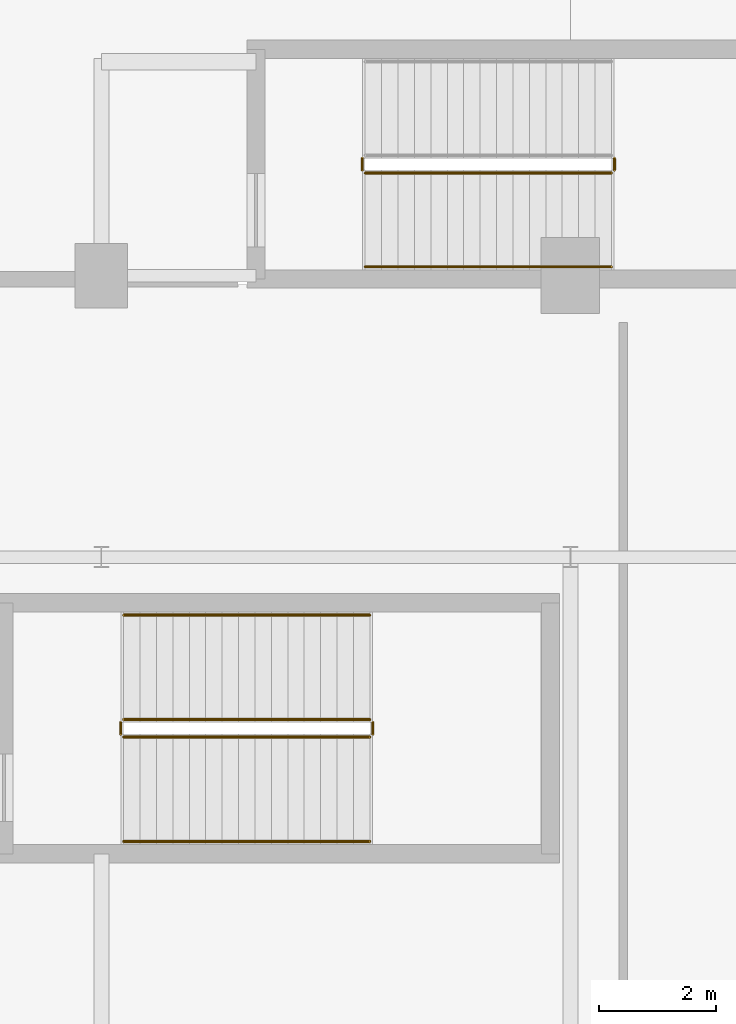
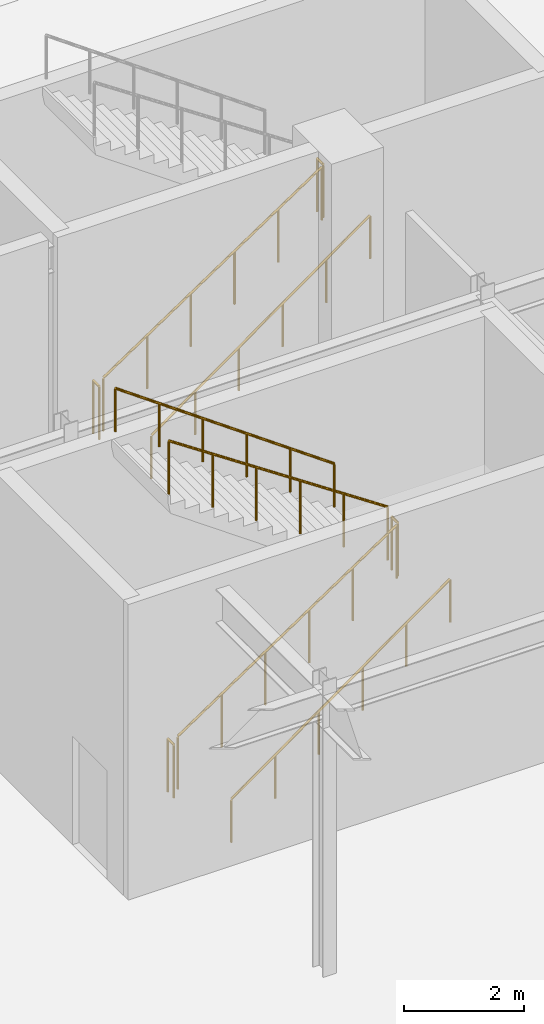
# One storey, part 42 of 49: 10 railings.
"""IFC4 building model written with IfcOpenShell, lengths in metres."""

from ifc_helpers import new_model, si_unit, direction, frame, origin, origin_2d, place, context, subcontext, project, spatial, circle, extrude, material, type_object, element, save


model = new_model("IFC4")

# Units and contexts
model_context = context("Model", 3, precision=1e-05, world=origin(), true_north=direction((0.0, 1.0)))
body_context = subcontext(model_context, "Body", "Model", "MODEL_VIEW")
ifc_project = project(units=[si_unit("LENGTHUNIT", "METRE"), si_unit("AREAUNIT", "SQUARE_METRE"), si_unit("VOLUMEUNIT", "CUBIC_METRE"), si_unit("PLANEANGLEUNIT", "RADIAN"), si_unit("MASSUNIT", "GRAM", prefix="KILO")], contexts=[model_context])

# Site, building, storey
site_placement = place(None, origin())
site = spatial("IfcSite", under=ifc_project, at=site_placement, CompositionType="ELEMENT")
building_placement = place(site_placement, origin())
building = spatial("IfcBuilding", under=site, at=building_placement, Name="Tlacozan Convention Centre", CompositionType="ELEMENT")
storey_placement = place(building_placement, origin())
storey = spatial("IfcBuildingStorey", under=building, at=storey_placement, Name="L00", CompositionType="ELEMENT", Elevation=0.0)

# Railings
ifc_material = material(Name="Architectural Painted Galvanised Steel Railing", Category="steel")
railing_type_1 = type_object("IfcRailingType", Name="Stair Wall Handrail 900", PredefinedType="HANDRAIL", material=ifc_material)
railing_1_placement = place(storey_placement, frame((16.3798828125, 52.35009765625, 0.1875)))
element("IfcRailing", 1, at=railing_1_placement, inside=storey, type_object=railing_type_1, Name="L00 ST-09 stair handrail 1", PredefinedType="HANDRAIL", context=body_context, shape_type="SweptSolid", body=[
    extrude(circle(Radius=0.02392578125, at=origin_2d()), frame((0.0, 0.0, 0.8759765625), z_axis=(0.813746254747, 0.0, 0.581220296346), x_axis=(0.0, 1.0, 0.0)), (0.0, 0.0, 1.0), 5.16162109375),
    extrude(circle(Radius=0.02099609375, at=origin_2d()), origin(), (0.0, 0.0, 1.0), 0.851806640625),
    extrude(circle(Radius=0.02099609375, at=origin_2d()), frame((0.840087890625, 0.0, 0.60009765625)), (0.0, 0.0, 1.0), 0.851806640625),
    extrude(circle(Radius=0.02099609375, at=origin_2d()), frame((1.68017578125, 0.0, 1.199951171875)), (0.0, 0.0, 1.0), 0.851806640625),
    extrude(circle(Radius=0.02099609375, at=origin_2d()), frame((2.52001953125, 0.0, 1.800048828125)), (0.0, 0.0, 1.0), 0.851806640625),
    extrude(circle(Radius=0.02099609375, at=origin_2d()), frame((3.360107421875, 0.0, 2.39990234375)), (0.0, 0.0, 1.0), 0.851806640625),
    extrude(circle(Radius=0.02099609375, at=origin_2d()), frame((4.2001953125, 0.0, 3.0)), (0.0, 0.0, 1.0), 0.851806640625),
])
railing_2_placement = place(storey_placement, frame((20.580078125, 56.2099609375, 3.1875)))
element("IfcRailing", 2, at=railing_2_placement, inside=storey, type_object=railing_type_1, Name="L00 ST-09 stair handrail 2", PredefinedType="HANDRAIL", context=body_context, shape_type="SweptSolid", body=[
    extrude(circle(Radius=0.02392578125, at=origin_2d()), frame((0.0, 0.0, 0.8759765625), z_axis=(-0.813746254747, 0.0, 0.581220296346), x_axis=(0.0, -1.0, 0.0)), (0.0, 0.0, 1.0), 5.16162109375),
    extrude(circle(Radius=0.02099609375, at=origin_2d()), origin(), (0.0, 0.0, 1.0), 0.851806640625),
    extrude(circle(Radius=0.02099609375, at=origin_2d()), frame((-0.840087890625, 0.0, 0.60009765625)), (0.0, 0.0, 1.0), 0.851806640625),
    extrude(circle(Radius=0.02099609375, at=origin_2d()), frame((-1.68017578125, 0.0, 1.199951171875)), (0.0, 0.0, 1.0), 0.851806640625),
    extrude(circle(Radius=0.02099609375, at=origin_2d()), frame((-2.52001953125, 0.0, 1.800048828125)), (0.0, 0.0, 1.0), 0.851806640625),
    extrude(circle(Radius=0.02099609375, at=origin_2d()), frame((-3.360107421875, 0.0, 2.39990234375)), (0.0, 0.0, 1.0), 0.851806640625),
    extrude(circle(Radius=0.02099609375, at=origin_2d()), frame((-4.2001953125, 0.0, 3.0)), (0.0, 0.0, 1.0), 0.851806640625),
])
railing_3_placement = place(storey_placement, frame((20.5, 62.14990234375, 0.1875)))
element("IfcRailing", 3, at=railing_3_placement, inside=storey, type_object=railing_type_1, Name="L00 ST-10 stair handrail 1", PredefinedType="HANDRAIL", context=body_context, shape_type="SweptSolid", body=[
    extrude(circle(Radius=0.02392578125, at=origin_2d()), frame((0.0, 0.0, 0.8759765625), z_axis=(0.813730275137, 0.0, 0.581242668191), x_axis=(0.0, 1.0, 0.0)), (0.0, 0.0, 1.0), 5.161376953125),
    extrude(circle(Radius=0.02099609375, at=origin_2d()), origin(), (0.0, 0.0, 1.0), 0.851806640625),
    extrude(circle(Radius=0.02099609375, at=origin_2d()), frame((0.840087890625, 0.0, 0.60009765625)), (0.0, 0.0, 1.0), 0.851806640625),
    extrude(circle(Radius=0.02099609375, at=origin_2d()), frame((1.679931640625, 0.0, 1.199951171875)), (0.0, 0.0, 1.0), 0.851806640625),
    extrude(circle(Radius=0.02099609375, at=origin_2d()), frame((2.52001953125, 0.0, 1.800048828125)), (0.0, 0.0, 1.0), 0.851806640625),
    extrude(circle(Radius=0.02099609375, at=origin_2d()), frame((3.35986328125, 0.0, 2.39990234375)), (0.0, 0.0, 1.0), 0.851806640625),
    extrude(circle(Radius=0.02099609375, at=origin_2d()), frame((4.199951171875, 0.0, 3.0)), (0.0, 0.0, 1.0), 0.851806640625),
])
railing_type_2 = type_object("IfcRailingType", Name="Stair Well Guardrail 1100", PredefinedType="GUARDRAIL", material=ifc_material)
railing_4_placement = place(storey_placement, frame((16.3798828125, 54.1298828125, 0.1875)))
element("IfcRailing", 4, at=railing_4_placement, inside=storey, type_object=railing_type_2, Name="L00 ST-09 stair guard 1", PredefinedType="GUARDRAIL", context=body_context, shape_type="SweptSolid", body=[
    extrude(circle(Radius=0.02392578125, at=origin_2d()), frame((0.0, 0.0, 1.076171875), z_axis=(0.830919138977, 0.0, 0.55639319234), x_axis=(0.0, 1.0, 0.0)), (0.0, 0.0, 1.0), 5.054931640625),
    extrude(circle(Radius=0.02099609375, at=origin_2d()), origin(), (0.0, 0.0, 1.0), 1.052001953125),
    extrude(circle(Radius=0.02099609375, at=origin_2d()), frame((0.840087890625, 0.0, 0.5625)), (0.0, 0.0, 1.0), 1.052001953125),
    extrude(circle(Radius=0.02099609375, at=origin_2d()), frame((1.68017578125, 0.0, 1.125)), (0.0, 0.0, 1.0), 1.052001953125),
    extrude(circle(Radius=0.02099609375, at=origin_2d()), frame((2.52001953125, 0.0, 1.6875)), (0.0, 0.0, 1.0), 1.052001953125),
    extrude(circle(Radius=0.02099609375, at=origin_2d()), frame((3.360107421875, 0.0, 2.25)), (0.0, 0.0, 1.0), 1.052001953125),
    extrude(circle(Radius=0.02099609375, at=origin_2d()), frame((4.2001953125, 0.0, 2.8125)), (0.0, 0.0, 1.0), 1.052001953125),
])
railing_5_placement = place(storey_placement, frame((20.6298828125, 54.179931640625, 3.0)))
element("IfcRailing", 5, at=railing_5_placement, inside=storey, type_object=railing_type_2, Name="L00 ST-09 stair guard 2", PredefinedType="GUARDRAIL", context=body_context, shape_type="SweptSolid", body=[
    extrude(circle(Radius=0.02392578125, at=origin_2d()), frame((0.0, 0.0, 1.076171875), z_axis=(0.0, 1.0, 0.0), x_axis=(-1.0, 0.0, 0.0)), (0.0, 0.0, 1.0), 0.199951171875),
    extrude(circle(Radius=0.02099609375, at=origin_2d()), origin(), (0.0, 0.0, 1.0), 1.052001953125),
    extrude(circle(Radius=0.02099609375, at=origin_2d()), frame((0.0, 0.199951171875, 0.0)), (0.0, 0.0, 1.0), 1.052001953125),
])
railing_6_placement = place(storey_placement, frame((20.580078125, 54.429931640625, 3.1875)))
element("IfcRailing", 6, at=railing_6_placement, inside=storey, type_object=railing_type_2, Name="L00 ST-09 stair guard 3", PredefinedType="GUARDRAIL", context=body_context, shape_type="SweptSolid", body=[
    extrude(circle(Radius=0.02392578125, at=origin_2d()), frame((0.0, 0.0, 1.076171875), z_axis=(-0.830919138977, 0.0, 0.55639319234), x_axis=(0.0, -1.0, 0.0)), (0.0, 0.0, 1.0), 5.054931640625),
    extrude(circle(Radius=0.02099609375, at=origin_2d()), origin(), (0.0, 0.0, 1.0), 1.052001953125),
    extrude(circle(Radius=0.02099609375, at=origin_2d()), frame((-0.840087890625, 0.0, 0.5625)), (0.0, 0.0, 1.0), 1.052001953125),
    extrude(circle(Radius=0.02099609375, at=origin_2d()), frame((-1.68017578125, 0.0, 1.125)), (0.0, 0.0, 1.0), 1.052001953125),
    extrude(circle(Radius=0.02099609375, at=origin_2d()), frame((-2.52001953125, 0.0, 1.6875)), (0.0, 0.0, 1.0), 1.052001953125),
    extrude(circle(Radius=0.02099609375, at=origin_2d()), frame((-3.360107421875, 0.0, 2.25)), (0.0, 0.0, 1.0), 1.052001953125),
    extrude(circle(Radius=0.02099609375, at=origin_2d()), frame((-4.2001953125, 0.0, 2.8125)), (0.0, 0.0, 1.0), 1.052001953125),
])
railing_7_placement = place(storey_placement, frame((16.330078125, 54.179931640625, 0.0)))
element("IfcRailing", 7, at=railing_7_placement, inside=storey, type_object=railing_type_2, Name="L00 ST-09 stair guard 4", PredefinedType="GUARDRAIL", context=body_context, shape_type="SweptSolid", body=[
    extrude(circle(Radius=0.02392578125, at=origin_2d()), frame((0.0, 0.0, 1.076171875), z_axis=(0.0, 1.0, 0.0), x_axis=(-1.0, 0.0, 0.0)), (0.0, 0.0, 1.0), 0.199951171875),
    extrude(circle(Radius=0.02099609375, at=origin_2d()), origin(), (0.0, 0.0, 1.0), 1.052001953125),
    extrude(circle(Radius=0.02099609375, at=origin_2d()), frame((0.0, 0.199951171875, 0.0)), (0.0, 0.0, 1.0), 1.052001953125),
])
railing_8_placement = place(storey_placement, frame((20.5, 63.75, 0.1875)))
element("IfcRailing", 8, at=railing_8_placement, inside=storey, type_object=railing_type_2, Name="L00 ST-10 stair guard 1", PredefinedType="GUARDRAIL", context=body_context, shape_type="SweptSolid", body=[
    extrude(circle(Radius=0.02392578125, at=origin_2d()), frame((0.0, 0.0, 1.076171875), z_axis=(0.830904186295, 0.0, 0.556415522067), x_axis=(0.0, 1.0, 0.0)), (0.0, 0.0, 1.0), 5.0546875),
    extrude(circle(Radius=0.02099609375, at=origin_2d()), origin(), (0.0, 0.0, 1.0), 1.052001953125),
    extrude(circle(Radius=0.02099609375, at=origin_2d()), frame((0.840087890625, 0.0, 0.5625)), (0.0, 0.0, 1.0), 1.052001953125),
    extrude(circle(Radius=0.02099609375, at=origin_2d()), frame((1.679931640625, 0.0, 1.125)), (0.0, 0.0, 1.0), 1.052001953125),
    extrude(circle(Radius=0.02099609375, at=origin_2d()), frame((2.52001953125, 0.0, 1.6875)), (0.0, 0.0, 1.0), 1.052001953125),
    extrude(circle(Radius=0.02099609375, at=origin_2d()), frame((3.35986328125, 0.0, 2.25)), (0.0, 0.0, 1.0), 1.052001953125),
    extrude(circle(Radius=0.02099609375, at=origin_2d()), frame((4.199951171875, 0.0, 2.8125)), (0.0, 0.0, 1.0), 1.052001953125),
])
for number, where, name in (
    (9, (24.75, 63.800048828125, 3.0), "L00 ST-10 stair guard 2"),
    (10, (20.449951171875, 63.800048828125, 0.0), "L00 ST-10 stair guard 4"),
):
    element("IfcRailing", number, at=place(storey_placement, frame(where)), inside=storey, type_object=railing_type_2, Name=name, PredefinedType="GUARDRAIL", context=body_context, shape_type="SweptSolid", body=[
        extrude(circle(Radius=0.02392578125, at=origin_2d()), frame((0.0, 0.0, 1.076171875), z_axis=(0.0, 1.0, 0.0), x_axis=(-1.0, 0.0, 0.0)), (0.0, 0.0, 1.0), 0.199951171875),
        extrude(circle(Radius=0.02099609375, at=origin_2d()), origin(), (0.0, 0.0, 1.0), 1.052001953125),
        extrude(circle(Radius=0.02099609375, at=origin_2d()), frame((0.0, 0.199951171875, 0.0)), (0.0, 0.0, 1.0), 1.052001953125),
    ])

save(model, "model.ifc")
